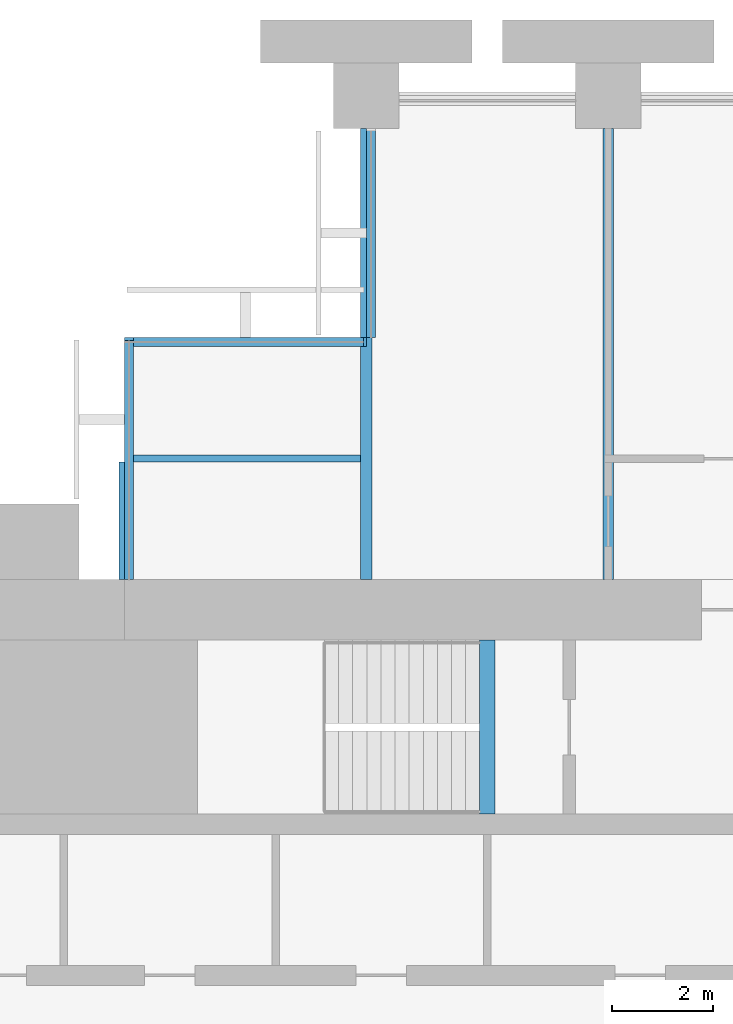
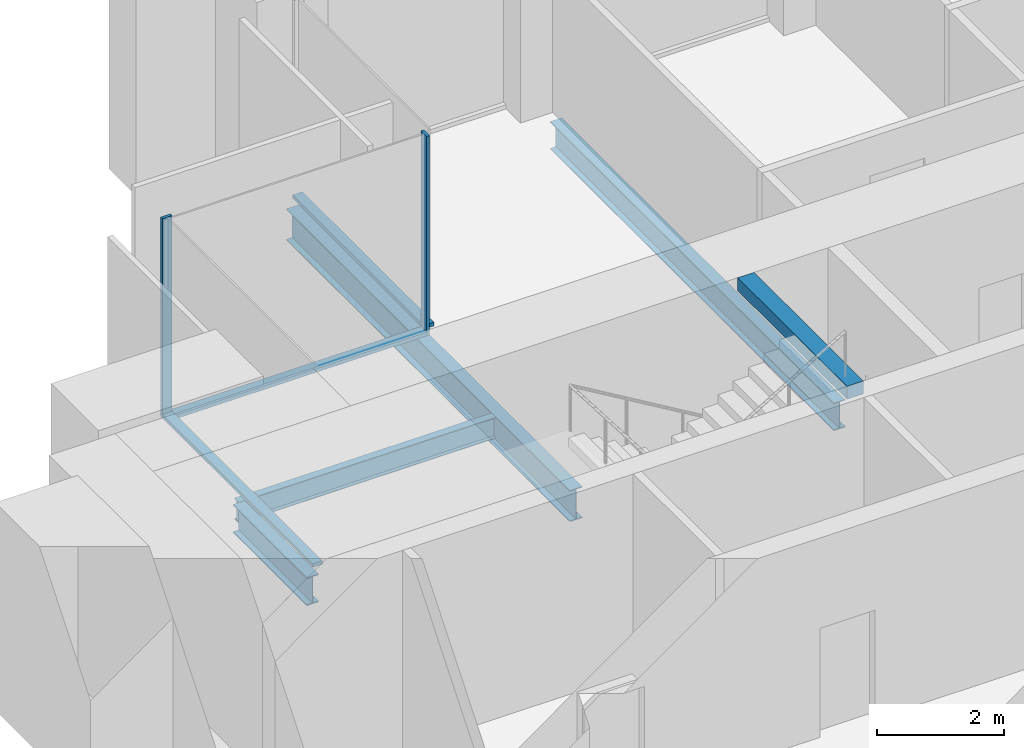
# One storey, part 5 of 14: 5 beams, 5 members, 3 elements without a shape of their own.
"""IFC4 building model written with IfcOpenShell, lengths in metres."""

import ifcopenshell
import ifcopenshell.guid

model = None  # the IFC model being written
_history = None  # IfcOwnerHistory: only IFC2X3 demands one
_inside = {}  # id of a spatial element -> (the spatial element, [elements in it])
_under = {}  # id of a project, library or spatial element -> (it, [spatial elements below it])
_declared = {}  # id of a project -> (the project, [libraries it declares])
_typed = {}  # id of a type object -> (the type object, [elements of that type])
_made_of = {}  # id of a material, layer set ... -> (it, [elements and type objects made of it])


def new_model(schema):
    """Start an empty IFC model of exactly this schema.

    Asked for "IFC4X3", IfcOpenShell would pick the latest addendum, in which some entities
    have other attributes; the version numbers below select the first issue.
    IFC2X3 requires an IfcOwnerHistory on every rooted entity: one is made here for all.
    """
    global model, _history
    if schema == "IFC4X3":
        model = ifcopenshell.file(schema_version=(4, 3, 0, 0))
    else:
        model = ifcopenshell.file(schema=schema)
    _inside.clear()
    _under.clear()
    _declared.clear()
    _typed.clear()
    _made_of.clear()
    _history = None
    if model.schema == "IFC2X3":
        org = make("IfcOrganization", Name="unknown")
        user = make(
            "IfcPersonAndOrganization",
            ThePerson=make("IfcPerson", FamilyName="unknown"),
            TheOrganization=org,
        )
        app = make(
            "IfcApplication",
            ApplicationDeveloper=org,
            Version="unknown",
            ApplicationFullName="unknown",
            ApplicationIdentifier="unknown",
        )
        _history = make(
            "IfcOwnerHistory",
            OwningUser=user,
            OwningApplication=app,
            ChangeAction="ADDED",
            CreationDate=0,
        )
    return model


def make(cls, **values):
    """One entity of the class cls with the attributes given. An attribute that is None is left unset."""
    return model.create_entity(
        cls, **{name: value for name, value in values.items() if value is not None}
    )


def rooted(cls, **values):
    """An entity with a GlobalId (a new one), such as an element, a storey or a relation."""
    return make(cls, GlobalId=ifcopenshell.guid.new(), OwnerHistory=_history, **values)


def si_unit(unit_type, name, prefix=None):
    """IfcSIUnit, for example si_unit("LENGTHUNIT", "METRE", prefix="MILLI")."""
    return make("IfcSIUnit", UnitType=unit_type, Prefix=prefix, Name=name)


def assignment(units):
    """IfcUnitAssignment: the units of a project."""
    return None if units is None else make("IfcUnitAssignment", Units=units)


def point(xyz):
    """IfcCartesianPoint."""
    return None if xyz is None else make("IfcCartesianPoint", Coordinates=xyz)


def direction(xyz):
    """IfcDirection."""
    return None if xyz is None else make("IfcDirection", DirectionRatios=xyz)


def frame(location, z_axis=None, x_axis=None):
    """IfcAxis2Placement3D, a coordinate frame: its origin and axes. An axis left out is left unset."""
    return make(
        "IfcAxis2Placement3D",
        Location=point(location),
        Axis=direction(z_axis),
        RefDirection=direction(x_axis),
    )


def frame_2d(location, x_axis=None):
    """IfcAxis2Placement2D, a coordinate frame in the plane: its origin and x axis."""
    return make(
        "IfcAxis2Placement2D", Location=point(location), RefDirection=direction(x_axis)
    )


def origin():
    """The frame at (0, 0, 0) with its axes left unset."""
    return frame((0.0, 0.0, 0.0))


def origin_2d():
    """The frame at (0, 0) in the plane with its x axis left unset."""
    return frame_2d((0.0, 0.0))


def place(relative_to, where):
    """IfcLocalPlacement: puts the frame where relative to a parent placement (None: the world)."""
    return make(
        "IfcLocalPlacement", PlacementRelTo=relative_to, RelativePlacement=where
    )


def context(
    kind, dimensions, precision=None, world=None, true_north=None, identifier=None
):
    """IfcGeometricRepresentationContext, for example the 3D "Model" context."""
    return make(
        "IfcGeometricRepresentationContext",
        ContextIdentifier=identifier,
        ContextType=kind,
        CoordinateSpaceDimension=dimensions,
        Precision=precision,
        WorldCoordinateSystem=world,
        TrueNorth=true_north,
    )


def subcontext(parent, identifier, kind, view, scale=None):
    """IfcGeometricRepresentationSubContext, for example "Body" below "Model"."""
    return make(
        "IfcGeometricRepresentationSubContext",
        ContextIdentifier=identifier,
        ContextType=kind,
        ParentContext=parent,
        TargetScale=scale,
        TargetView=view,
    )


def project(units=None, contexts=None):
    """IfcProject with its units and contexts."""
    return rooted(
        "IfcProject",
        Name="project",
        RepresentationContexts=contexts,
        UnitsInContext=assignment(units),
    )


def spatial(cls, under=None, at=None, **own):
    """A site, building, storey or space (cls), placed at a placement, below another one or the project."""
    s = rooted(cls, ObjectPlacement=at, **own)
    if under is not None:
        _under.setdefault(under.id(), (under, []))[1].append(s)
    return s


def profile(cls, at=None, kind="AREA", **sizes):
    """A parametric profile (cls). Its sizes go by their IFC names, for example OverallWidth=200.0."""
    return make(cls, ProfileType=kind, Position=at, **sizes)


def rectangle(**sizes):
    """IfcRectangleProfileDef."""
    return profile("IfcRectangleProfileDef", **sizes)


def i_section(**sizes):
    """IfcIShapeProfileDef."""
    return profile("IfcIShapeProfileDef", **sizes)


def extrude(swept, where, along, depth):
    """IfcExtrudedAreaSolid: the profile swept, set in the frame where, extruded along a direction by depth."""
    return make(
        "IfcExtrudedAreaSolid",
        SweptArea=swept,
        Position=where,
        ExtrudedDirection=direction(along),
        Depth=depth,
    )


def shape(context_of_items, identifier, shape_type, items):
    """IfcShapeRepresentation: the items that make up one representation, for example the "Body"."""
    return make(
        "IfcShapeRepresentation",
        ContextOfItems=context_of_items,
        RepresentationIdentifier=identifier,
        RepresentationType=shape_type,
        Items=items,
    )


def material(Name=None, Category=None):
    """IfcMaterial."""
    return make("IfcMaterial", Name=Name, Category=Category)


def material_profile(
    of_material, cross_section, Name=None, Category=None, Priority=None
):
    """IfcMaterialProfile: a cross section and its material."""
    return make(
        "IfcMaterialProfile",
        Name=Name,
        Material=of_material,
        Profile=cross_section,
        Priority=Priority,
        Category=Category,
    )


def profile_set(profiles, Name=None, composite=None):
    """IfcMaterialProfileSet."""
    return make(
        "IfcMaterialProfileSet",
        Name=Name,
        MaterialProfiles=profiles,
        CompositeProfile=composite,
    )


def made_of(thing, what):
    """Note that an element or type object is made of a material, layer set ...; save() writes the relation."""
    if what is not None:
        _made_of.setdefault(what.id(), (what, []))[1].append(thing)
    return thing


def type_object(cls, material=None, **own):
    """A type object (cls), such as IfcWallType, which elements share."""
    return made_of(rooted(cls, **own), material)


def element(
    cls,
    number,
    at=None,
    inside=None,
    cuts=None,
    type_object=None,
    material=None,
    context=None,
    identifier="Body",
    shape_type=None,
    held_by="IfcProductDefinitionShape",
    body=None,
    shapes=None,
    **own,
):
    """One element of the class cls, such as IfcWall. Its Tag is "e" and its number.

    at: its placement. inside: the storey or other place that contains it. cuts: it is an
    opening in that element (IfcRelVoidsElement). A single representation is given by context,
    identifier, shape_type and body (its items); several are given by shapes. held_by: the class
    of the entity that holds the representations. save() writes the other relations.
    """
    e = rooted(cls, Tag="e%d" % number, ObjectPlacement=at, **own)
    if body is not None:
        shapes = [shape(context, identifier, shape_type, body)]
    if shapes is not None:
        e.Representation = make(held_by, Representations=shapes)
    if inside is not None:
        _inside.setdefault(inside.id(), (inside, []))[1].append(e)
    if cuts is not None:
        rooted(
            "IfcRelVoidsElement", RelatingBuildingElement=cuts, RelatedOpeningElement=e
        )
    if type_object is not None:
        _typed.setdefault(type_object.id(), (type_object, []))[1].append(e)
    return made_of(e, material)


def aggregate(whole, parts):
    """IfcRelAggregates: a whole, such as a stair, and the parts it consists of."""
    return rooted("IfcRelAggregates", RelatingObject=whole, RelatedObjects=parts)


def save(model, path):
    """Write the relations noted so far, then the file.

    IfcRelAggregates (storeys below a building ...), IfcRelContainedInSpatialStructure (elements
    in a storey), IfcRelDefinesByType, IfcRelAssociatesMaterial and IfcRelDeclares: one each for
    every whole, place, type object, material and project.
    """
    for whole, parts in _under.values():
        aggregate(whole, parts)
    for where, things in _inside.values():
        rooted(
            "IfcRelContainedInSpatialStructure",
            RelatedElements=things,
            RelatingStructure=where,
        )
    for kind, things in _typed.values():
        rooted("IfcRelDefinesByType", RelatedObjects=things, RelatingType=kind)
    for what, things in _made_of.values():
        rooted("IfcRelAssociatesMaterial", RelatedObjects=things, RelatingMaterial=what)
    for by, libraries in _declared.values():
        rooted("IfcRelDeclares", RelatingContext=by, RelatedDefinitions=libraries)
    model.write(path)


model = new_model("IFC4")

# Units and contexts
model_context = context("Model", 3, precision=1e-05, world=origin(), true_north=direction((0.0, 1.0)))
body_context = subcontext(model_context, "Body", "Model", "MODEL_VIEW")
ifc_project = project(units=[si_unit("LENGTHUNIT", "METRE"), si_unit("AREAUNIT", "SQUARE_METRE"), si_unit("VOLUMEUNIT", "CUBIC_METRE"), si_unit("PLANEANGLEUNIT", "RADIAN"), si_unit("MASSUNIT", "GRAM", prefix="KILO")], contexts=[model_context])

# Site, building, storey
site_placement = place(None, origin())
site = spatial("IfcSite", under=ifc_project, at=site_placement, CompositionType="ELEMENT")
building_placement = place(site_placement, origin())
building = spatial("IfcBuilding", under=site, at=building_placement, Name="Baori Bourse Tower", CompositionType="ELEMENT")
storey_placement = place(building_placement, frame((0.0, 0.0, 43.0)))
storey = spatial("IfcBuildingStorey", under=building, at=storey_placement, Name="L08", CompositionType="ELEMENT", Elevation=43.0)

# Curtain wall, member
ifc_material_1 = material(Name="Pale anodised aluminium", Category="aluminium")
curtain_wall_type = type_object("IfcCurtainWallType", Name="CW2 Curtain wall", PredefinedType="NOTDEFINED", material=ifc_material_1)
curtain_wall_1_placement = place(storey_placement, origin())
curtain_wall_1 = element("IfcCurtainWall", 1, at=curtain_wall_1_placement, inside=storey, type_object=curtain_wall_type, Name="Curtain wall CW2 L08 6", PredefinedType="NOTDEFINED")
ifc_material_2 = material(Name="Pale anodised aluminium", Category="aluminium")
ifc_material_profile_1 = material_profile(ifc_material_2, rectangle(XDim=0.179931640625, YDim=0.054931640625, at=origin_2d()), Name="Mullion 55x180")
ifc_profile_set_1 = profile_set([ifc_material_profile_1], Name="Pale anodised aluminium")
member_type_1 = type_object("IfcMemberType", Name="CW2 Curtain wall mullion", PredefinedType="MULLION", material=ifc_profile_set_1)
member_1_placement = place(storey_placement, frame((9.572509765625, 43.110107421875, 0.070068359375), z_axis=(0.0, 0.0, 1.0), x_axis=(0.0, -1.0, 0.0)))
member_1 = element("IfcMember", 2, at=member_1_placement, type_object=member_type_1, Name="Curtain wall CW2 mullion", PredefinedType="MULLION", context=body_context, shape_type="SweptSolid", body=[
    extrude(rectangle(XDim=0.179931640625, YDim=0.054931640625, at=origin_2d()), origin(), (0.0, 0.0, 1.0), 3.77001953125),
])

curtain_wall_2_placement = place(storey_placement, origin())
curtain_wall_2 = element("IfcCurtainWall", 3, at=curtain_wall_2_placement, inside=storey, type_object=curtain_wall_type, Name="Curtain wall CW2 L08 7", PredefinedType="NOTDEFINED")
member_2_placement = place(storey_placement, frame((4.889892578125, 43.172607421875, 0.070068359375), z_axis=(0.0, 0.0, 1.0), x_axis=(1.0, 0.0, 0.0)))
member_2 = element("IfcMember", 4, at=member_2_placement, type_object=member_type_1, Name="Curtain wall CW2 mullion", PredefinedType="MULLION", context=body_context, shape_type="SweptSolid", body=[
    extrude(rectangle(XDim=0.179931640625, YDim=0.054931640625, at=origin_2d()), origin(), (0.0, 0.0, 1.0), 3.77001953125),
])

curtain_wall_3_placement = place(storey_placement, origin())
curtain_wall_3 = element("IfcCurtainWall", 5, at=curtain_wall_3_placement, inside=storey, type_object=curtain_wall_type, Name="Curtain wall CW2 L08 5", PredefinedType="NOTDEFINED")
ifc_material_3 = material(Name="Pale anodised aluminium", Category="aluminium")
ifc_material_profile_2 = material_profile(ifc_material_3, rectangle(XDim=0.179931640625, YDim=0.070068359375, at=origin_2d()), Name="Transom 70x180")
ifc_profile_set_2 = profile_set([ifc_material_profile_2], Name="Pale anodised aluminium")
member_type_2 = type_object("IfcMemberType", Name="CW2 Curtain wall transom", PredefinedType="USERDEFINED", material=ifc_profile_set_2)
member_3_placement = place(storey_placement, frame((9.68994140625, 47.35009765625, 0.034912109375), z_axis=(0.0, -1.0, 0.0), x_axis=(1.0, 0.0, 0.0)))
member_3 = element("IfcMember", 6, at=member_3_placement, type_object=member_type_2, Name="Curtain wall CW2 sill rail", ObjectType="TRANSOM", PredefinedType="USERDEFINED", context=body_context, shape_type="SweptSolid", body=[
    extrude(rectangle(XDim=0.179931640625, YDim=0.070068359375, at=origin_2d()), origin(), (0.0, 0.0, 1.0), 4.150146484375),
])
aggregate(curtain_wall_3, [member_3])

# Member
member_4_placement = place(storey_placement, frame((9.60009765625, 43.110107421875, 0.034912109375), z_axis=(-1.0, 0.0, 0.0), x_axis=(0.0, -1.0, 0.0)))
member_4 = element("IfcMember", 7, at=member_4_placement, type_object=member_type_2, Name="Curtain wall CW2 sill rail", ObjectType="TRANSOM", PredefinedType="USERDEFINED", context=body_context, shape_type="SweptSolid", body=[
    extrude(rectangle(XDim=0.179931640625, YDim=0.070068359375, at=origin_2d()), origin(), (0.0, 0.0, 1.0), 4.800048828125),
])

aggregate(curtain_wall_1, [member_4, member_1])

member_5_placement = place(storey_placement, frame((4.889892578125, 43.199951171875, 0.034912109375), z_axis=(0.0, -1.0, 0.0), x_axis=(1.0, 0.0, 0.0)))
member_5 = element("IfcMember", 8, at=member_5_placement, type_object=member_type_2, Name="Curtain wall CW2 sill rail", ObjectType="TRANSOM", PredefinedType="USERDEFINED", context=body_context, shape_type="SweptSolid", body=[
    extrude(rectangle(XDim=0.179931640625, YDim=0.070068359375, at=origin_2d()), origin(), (0.0, 0.0, 1.0), 4.800048828125),
])

aggregate(curtain_wall_2, [member_5, member_2])

# Beams
ifc_material_4 = material(Name="Steel A992 Gr 50", Category="steel")
ifc_material_profile_3 = material_profile(ifc_material_4, i_section(OverallWidth=0.21240234375, OverallDepth=0.54345703125, WebThickness=0.01318359375, FlangeThickness=0.021240234375, at=origin_2d()), Name="W21x83")
ifc_profile_set_3 = profile_set([ifc_material_profile_3], Name="Steel A992 Gr 50")
beam_type_1 = type_object("IfcBeamType", Name="Core bracket W21x83", PredefinedType="BEAM", material=ifc_profile_set_3)
beam_1_placement = place(storey_placement, frame((4.800048828125, 38.39990234375, -0.431884765625), z_axis=(0.0, 1.0, 0.0), x_axis=(-1.0, 0.0, 0.0)))
element("IfcBeam", 9, at=beam_1_placement, inside=storey, type_object=beam_type_1, Name="Core bracket L08", PredefinedType="BEAM", context=body_context, shape_type="SweptSolid", body=[
    extrude(i_section(OverallWidth=0.21240234375, OverallDepth=0.54345703125, WebThickness=0.01318359375, FlangeThickness=0.021240234375, at=origin_2d()), origin(), (0.0, 0.0, 1.0), 2.329833984375),
])
ifc_material_5 = material(Name="Steel A992 Gr 50", Category="steel")
ifc_material_profile_4 = material_profile(ifc_material_5, i_section(OverallWidth=0.209228515625, OverallDepth=0.533447265625, WebThickness=0.01025390625, FlangeThickness=0.015625, at=origin_2d()), Name="W21x62")
ifc_profile_set_4 = profile_set([ifc_material_profile_4], Name="Steel A992 Gr 50")
beam_type_2 = type_object("IfcBeamType", Name="Floor beam W21x62", PredefinedType="BEAM", material=ifc_profile_set_4)
beam_2_placement = place(storey_placement, frame((14.39990234375, 38.39990234375, -0.4267578125), z_axis=(0.0, 1.0, 0.0), x_axis=(-1.0, 0.0, 0.0)))
element("IfcBeam", 10, at=beam_2_placement, inside=storey, type_object=beam_type_2, Name="Floor beam L08", PredefinedType="BEAM", context=body_context, shape_type="SweptSolid", body=[
    extrude(i_section(OverallWidth=0.209228515625, OverallDepth=0.533447265625, WebThickness=0.01025390625, FlangeThickness=0.015625, at=origin_2d()), origin(), (0.0, 0.0, 1.0), 8.9501953125),
])
ifc_material_6 = material(Name="Steel A992 Gr 50", Category="steel")
ifc_material_profile_5 = material_profile(ifc_material_6, i_section(OverallWidth=0.227783203125, OverallDepth=0.60205078125, WebThickness=0.010498046875, FlangeThickness=0.014892578125, at=origin_2d()), Name="W24x68")
ifc_profile_set_5 = profile_set([ifc_material_profile_5], Name="Steel A992 Gr 50")
beam_type_3 = type_object("IfcBeamType", Name="Floor beam W24x68", PredefinedType="BEAM", material=ifc_profile_set_5)
beam_3_placement = place(storey_placement, frame((9.60009765625, 38.39990234375, -0.4609375), z_axis=(0.0, 1.0, 0.0), x_axis=(-1.0, 0.0, 0.0)))
element("IfcBeam", 11, at=beam_3_placement, inside=storey, type_object=beam_type_3, Name="Floor beam L08", PredefinedType="BEAM", context=body_context, shape_type="SweptSolid", body=[
    extrude(i_section(OverallWidth=0.227783203125, OverallDepth=0.60205078125, WebThickness=0.010498046875, FlangeThickness=0.014892578125, at=origin_2d()), origin(), (0.0, 0.0, 1.0), 8.9501953125),
])
ifc_material_7 = material(Name="Concrete f'c 50 MPa", Category="concrete")
ifc_material_profile_6 = material_profile(ifc_material_7, rectangle(XDim=0.300048828125, YDim=0.25, at=origin_2d()), Name="RC 300x250")
ifc_profile_set_6 = profile_set([ifc_material_profile_6], Name="Concrete f'c 50 MPa")
beam_type_4 = type_object("IfcBeamType", Name="Stair nib beam RC 300x250", PredefinedType="BEAM", material=ifc_profile_set_6)
beam_4_placement = place(storey_placement, frame((12.0, 33.75, 3.715087890625), z_axis=(0.0, 1.0, 0.0), x_axis=(-1.0, 0.0, 0.0)))
element("IfcBeam", 12, at=beam_4_placement, inside=storey, type_object=beam_type_4, Name="Stair WB nib beam L09", PredefinedType="BEAM", context=body_context, shape_type="SweptSolid", body=[
    extrude(rectangle(XDim=0.300048828125, YDim=0.25, at=origin_2d()), origin(), (0.0, 0.0, 1.0), 3.449951171875),
])
ifc_material_8 = material(Name="Steel A992 Gr 50", Category="steel")
ifc_material_profile_7 = material_profile(ifc_material_8, i_section(OverallWidth=0.140380859375, OverallDepth=0.40380859375, WebThickness=0.007080078125, FlangeThickness=0.01123046875, at=origin_2d()), Name="W16x31")
ifc_profile_set_7 = profile_set([ifc_material_profile_7], Name="Steel A992 Gr 50")
beam_type_5 = type_object("IfcBeamType", Name="Trimmer beam W16x31", PredefinedType="BEAM", material=ifc_profile_set_7)
beam_5_placement = place(storey_placement, frame((4.800048828125, 40.800048828125, -0.36181640625), z_axis=(1.0, 0.0, 0.0), x_axis=(0.0, 1.0, 0.0)))
element("IfcBeam", 13, at=beam_5_placement, inside=storey, type_object=beam_type_5, Name="Trimmer beam L08", PredefinedType="BEAM", context=body_context, shape_type="SweptSolid", body=[
    extrude(i_section(OverallWidth=0.140380859375, OverallDepth=0.40380859375, WebThickness=0.007080078125, FlangeThickness=0.01123046875, at=origin_2d()), origin(), (0.0, 0.0, 1.0), 4.68603515625),
])

save(model, "model.ifc")
